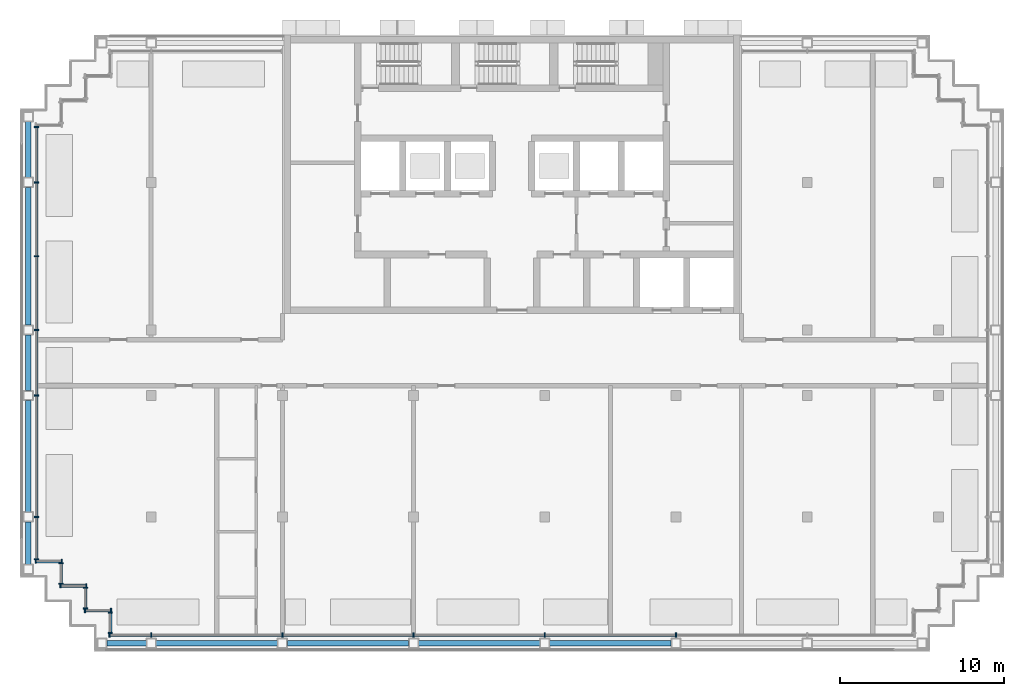
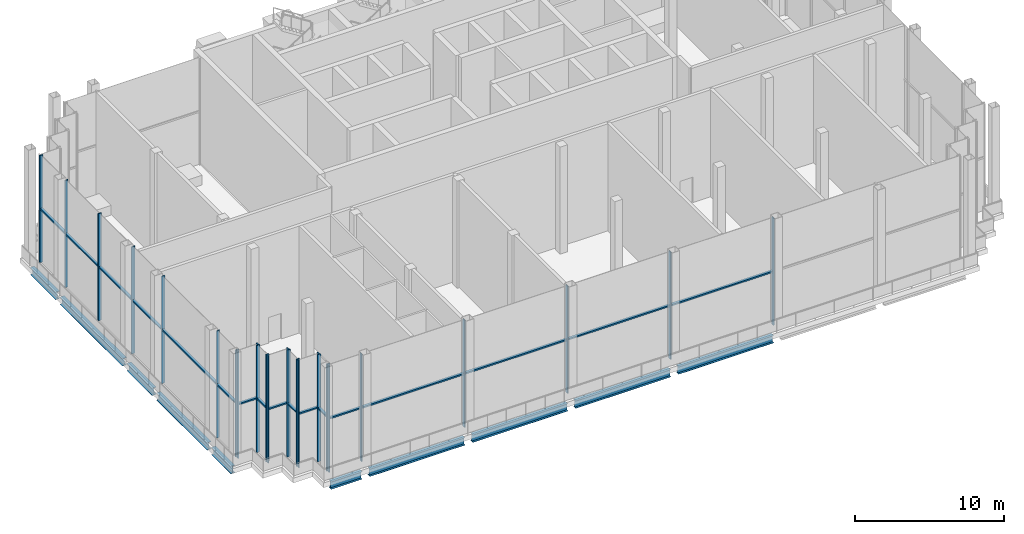
# One storey, part 2 of 15: 42 members, 10 beams, 8 elements without a shape of their own.
"""IFC4 building model written with IfcOpenShell, lengths in metres."""

from ifc_helpers import new_model, si_unit, direction, frame, origin, origin_2d, place, context, subcontext, project, spatial, rectangle, i_section, extrude, material, material_profile, profile_set, type_object, element, aggregate, save


model = new_model("IFC4")

# Units and contexts
model_context = context("Model", 3, precision=1e-05, world=origin(), true_north=direction((0.0, 1.0)))
body_context = subcontext(model_context, "Body", "Model", "MODEL_VIEW")
ifc_project = project(units=[si_unit("LENGTHUNIT", "METRE"), si_unit("AREAUNIT", "SQUARE_METRE"), si_unit("VOLUMEUNIT", "CUBIC_METRE"), si_unit("PLANEANGLEUNIT", "RADIAN"), si_unit("MASSUNIT", "GRAM", prefix="KILO")], contexts=[model_context])

# Site, building, storey
site_placement = place(None, origin())
site = spatial("IfcSite", under=ifc_project, at=site_placement, CompositionType="ELEMENT")
building_placement = place(site_placement, origin())
building = spatial("IfcBuilding", under=site, at=building_placement, Name="Vidyagriha Tower", CompositionType="ELEMENT")
storey_placement = place(building_placement, frame((0.0, 0.0, 239.60009765625)))
storey = spatial("IfcBuildingStorey", under=building, at=storey_placement, Name="L63", CompositionType="ELEMENT", Elevation=239.60009765625)

# Beams
ifc_material_1 = material(Name="Steel ASTM A992 Grade 50", Category="steel")
ifc_material_profile_1 = material_profile(ifc_material_1, i_section(OverallWidth=0.32373046875, OverallDepth=0.612060546875, WebThickness=0.0126953125, FlangeThickness=0.01904296875, at=origin_2d()), Name="W24X104")
ifc_profile_set_1 = profile_set([ifc_material_profile_1], Name="Steel ASTM A992 Grade 50")
beam_type = type_object("IfcBeamType", Name="Edge beam W24X104", PredefinedType="SPANDREL", material=ifc_profile_set_1)
beam_1_placement = place(storey_placement, frame((-24.699951171875, -17.10009765625, -0.7060546875), z_axis=(1.0, 0.0, 0.0), x_axis=(0.0, 1.0, 0.0)))
element("IfcBeam", 1, at=beam_1_placement, inside=storey, type_object=beam_type, Name="st-beam-L63-S01", PredefinedType="SPANDREL", context=body_context, shape_type="SweptSolid", body=[
    extrude(i_section(OverallWidth=0.32373046875, OverallDepth=0.612060546875, WebThickness=0.0126953125, FlangeThickness=0.01904296875, at=origin_2d()), origin(), (0.0, 0.0, 1.0), 2.39990234375),
])
for number, where, z_axis, x_axis, name in (
    (2, (-21.699951171875, -17.10009765625, -0.7060546875), (1.0, 0.0, 0.0), (0.0, 1.0, 0.0), "st-beam-L63-S02"),
    (3, (-13.699951171875, -17.10009765625, -0.7060546875), (1.0, 0.0, 0.0), (0.0, 1.0, 0.0), "st-beam-L63-S03"),
    (4, (-5.699951171875, -17.10009765625, -0.7060546875), (1.0, 0.0, 0.0), (0.0, 1.0, 0.0), "st-beam-L63-S04"),
    (5, (2.300048828125, -17.10009765625, -0.7060546875), (1.0, 0.0, 0.0), (0.0, 1.0, 0.0), "st-beam-L63-S05"),
):
    element("IfcBeam", number, at=place(storey_placement, frame(where, z_axis=z_axis, x_axis=x_axis)), inside=storey, type_object=beam_type, Name=name, PredefinedType="SPANDREL", context=body_context, shape_type="SweptSolid", body=[
        extrude(i_section(OverallWidth=0.32373046875, OverallDepth=0.612060546875, WebThickness=0.0126953125, FlangeThickness=0.01904296875, at=origin_2d()), origin(), (0.0, 0.0, 1.0), 7.39990234375),
    ])
beam_2_placement = place(storey_placement, frame((-29.5, -12.300048828125, -0.7060546875), z_axis=(0.0, 1.0, 0.0), x_axis=(-1.0, 0.0, 0.0)))
element("IfcBeam", 6, at=beam_2_placement, inside=storey, type_object=beam_type, Name="st-beam-L63-W08", PredefinedType="SPANDREL", context=body_context, shape_type="SweptSolid", body=[
    extrude(i_section(OverallWidth=0.32373046875, OverallDepth=0.612060546875, WebThickness=0.0126953125, FlangeThickness=0.01904296875, at=origin_2d()), origin(), (0.0, 0.0, 1.0), 2.60009765625),
])
beam_3_placement = place(storey_placement, frame((-29.5, -9.10009765625, -0.7060546875), z_axis=(0.0, 1.0, 0.0), x_axis=(-1.0, 0.0, 0.0)))
element("IfcBeam", 7, at=beam_3_placement, inside=storey, type_object=beam_type, Name="st-beam-L63-W09", PredefinedType="SPANDREL", context=body_context, shape_type="SweptSolid", body=[
    extrude(i_section(OverallWidth=0.32373046875, OverallDepth=0.612060546875, WebThickness=0.0126953125, FlangeThickness=0.01904296875, at=origin_2d()), origin(), (0.0, 0.0, 1.0), 6.800048828125),
])
beam_4_placement = place(storey_placement, frame((-29.5, -1.699951171875, -0.7060546875), z_axis=(0.0, 1.0, 0.0), x_axis=(-1.0, 0.0, 0.0)))
element("IfcBeam", 8, at=beam_4_placement, inside=storey, type_object=beam_type, Name="st-beam-L63-W10", PredefinedType="SPANDREL", context=body_context, shape_type="SweptSolid", body=[
    extrude(i_section(OverallWidth=0.32373046875, OverallDepth=0.612060546875, WebThickness=0.0126953125, FlangeThickness=0.01904296875, at=origin_2d()), origin(), (0.0, 0.0, 1.0), 3.39990234375),
])
beam_5_placement = place(storey_placement, frame((-29.5, 2.300048828125, -0.7060546875), z_axis=(0.0, 1.0, 0.0), x_axis=(-1.0, 0.0, 0.0)))
element("IfcBeam", 9, at=beam_5_placement, inside=storey, type_object=beam_type, Name="st-beam-L63-W11", PredefinedType="SPANDREL", context=body_context, shape_type="SweptSolid", body=[
    extrude(i_section(OverallWidth=0.32373046875, OverallDepth=0.612060546875, WebThickness=0.0126953125, FlangeThickness=0.01904296875, at=origin_2d()), origin(), (0.0, 0.0, 1.0), 8.39990234375),
])
beam_6_placement = place(storey_placement, frame((-29.5, 11.300048828125, -0.7060546875), z_axis=(0.0, 1.0, 0.0), x_axis=(-1.0, 0.0, 0.0)))
element("IfcBeam", 10, at=beam_6_placement, inside=storey, type_object=beam_type, Name="st-beam-L63-W12", PredefinedType="SPANDREL", context=body_context, shape_type="SweptSolid", body=[
    extrude(i_section(OverallWidth=0.32373046875, OverallDepth=0.612060546875, WebThickness=0.0126953125, FlangeThickness=0.01904296875, at=origin_2d()), origin(), (0.0, 0.0, 1.0), 3.39990234375),
])

# Curtain wall, members
ifc_material_2 = material(Name="Aluminium and glass curtain wall", Category="aluminium")
curtain_wall_type = type_object("IfcCurtainWallType", Name="Winter garden glazing wall", PredefinedType="USERDEFINED", material=ifc_material_2)
curtain_wall_1_placement = place(storey_placement, origin())
curtain_wall_1 = element("IfcCurtainWall", 11, at=curtain_wall_1_placement, inside=storey, type_object=curtain_wall_type, Name="CW3 winter garden glazing", ObjectType="STICK GLAZING", PredefinedType="USERDEFINED")
ifc_material_3 = material(Name="Aluminium black anodised", Category="aluminium")
ifc_material_profile_2 = material_profile(ifc_material_3, rectangle(XDim=0.260009765625, YDim=0.080078125, at=origin_2d()), Name="Mullion 80x260 black aluminium")
ifc_profile_set_2 = profile_set([ifc_material_profile_2], Name="Aluminium black anodised")
member_type_1 = type_object("IfcMemberType", Name="Mullion 80x260 black aluminium", PredefinedType="MULLION", material=ifc_profile_set_2)
member_1_placement = place(storey_placement, frame((-29.0, 14.3798828125, 0.0)))
member_1 = element("IfcMember", 12, at=member_1_placement, type_object=member_type_1, Name="CW3 mullion 1", PredefinedType="MULLION", context=body_context, shape_type="SweptSolid", body=[
    extrude(rectangle(XDim=0.260009765625, YDim=0.080078125, at=origin_2d()), origin(), (0.0, 0.0, 1.0), 8.7998046875),
])
member_2_placement = place(storey_placement, frame((-29.0, 11.0, 0.0)))
member_2 = element("IfcMember", 13, at=member_2_placement, type_object=member_type_1, Name="CW3 mullion 2", PredefinedType="MULLION", context=body_context, shape_type="SweptSolid", body=[
    extrude(rectangle(XDim=0.260009765625, YDim=0.080078125, at=origin_2d()), origin(), (0.0, 0.0, 1.0), 8.7998046875),
])
member_3_placement = place(storey_placement, frame((-29.0, 6.5, 0.0)))
member_3 = element("IfcMember", 14, at=member_3_placement, type_object=member_type_1, Name="CW3 mullion 3", PredefinedType="MULLION", context=body_context, shape_type="SweptSolid", body=[
    extrude(rectangle(XDim=0.260009765625, YDim=0.080078125, at=origin_2d()), origin(), (0.0, 0.0, 1.0), 8.7998046875),
])
member_4_placement = place(storey_placement, frame((-29.0, 2.0, 0.0)))
member_4 = element("IfcMember", 15, at=member_4_placement, type_object=member_type_1, Name="CW3 mullion 4", PredefinedType="MULLION", context=body_context, shape_type="SweptSolid", body=[
    extrude(rectangle(XDim=0.260009765625, YDim=0.080078125, at=origin_2d()), origin(), (0.0, 0.0, 1.0), 8.7998046875),
])
member_5_placement = place(storey_placement, frame((-29.0, -2.0, 0.0)))
member_5 = element("IfcMember", 16, at=member_5_placement, type_object=member_type_1, Name="CW3 mullion 5", PredefinedType="MULLION", context=body_context, shape_type="SweptSolid", body=[
    extrude(rectangle(XDim=0.260009765625, YDim=0.080078125, at=origin_2d()), origin(), (0.0, 0.0, 1.0), 8.7998046875),
])
member_6_placement = place(storey_placement, frame((-29.0, -9.39990234375, 0.0)))
member_6 = element("IfcMember", 17, at=member_6_placement, type_object=member_type_1, Name="CW3 mullion 6", PredefinedType="MULLION", context=body_context, shape_type="SweptSolid", body=[
    extrude(rectangle(XDim=0.260009765625, YDim=0.080078125, at=origin_2d()), origin(), (0.0, 0.0, 1.0), 8.7998046875),
])
member_7_placement = place(storey_placement, frame((-29.0, -11.97998046875, 0.0)))
member_7 = element("IfcMember", 18, at=member_7_placement, type_object=member_type_1, Name="CW3 mullion 7", PredefinedType="MULLION", context=body_context, shape_type="SweptSolid", body=[
    extrude(rectangle(XDim=0.260009765625, YDim=0.080078125, at=origin_2d()), origin(), (0.0, 0.0, 1.0), 8.7998046875),
])

curtain_wall_2_placement = place(storey_placement, origin())
curtain_wall_2 = element("IfcCurtainWall", 19, at=curtain_wall_2_placement, inside=storey, type_object=curtain_wall_type, Name="CW3 winter garden glazing", ObjectType="STICK GLAZING", PredefinedType="USERDEFINED")
member_8_placement = place(storey_placement, frame((-29.0400390625, -12.10009765625, 0.0), z_axis=(0.0, 0.0, 1.0), x_axis=(0.0, 1.0, 0.0)))
member_8 = element("IfcMember", 20, at=member_8_placement, type_object=member_type_1, Name="CW3 mullion 1", PredefinedType="MULLION", context=body_context, shape_type="SweptSolid", body=[
    extrude(rectangle(XDim=0.260009765625, YDim=0.080078125, at=origin_2d()), origin(), (0.0, 0.0, 1.0), 8.7998046875),
])
member_9_placement = place(storey_placement, frame((-27.4599609375, -12.10009765625, 0.0), z_axis=(0.0, 0.0, 1.0), x_axis=(0.0, 1.0, 0.0)))
member_9 = element("IfcMember", 21, at=member_9_placement, type_object=member_type_1, Name="CW3 mullion 2", PredefinedType="MULLION", context=body_context, shape_type="SweptSolid", body=[
    extrude(rectangle(XDim=0.260009765625, YDim=0.080078125, at=origin_2d()), origin(), (0.0, 0.0, 1.0), 8.7998046875),
])

curtain_wall_3_placement = place(storey_placement, origin())
curtain_wall_3 = element("IfcCurtainWall", 22, at=curtain_wall_3_placement, inside=storey, type_object=curtain_wall_type, Name="CW3 winter garden glazing", ObjectType="STICK GLAZING", PredefinedType="USERDEFINED")
member_10_placement = place(storey_placement, frame((-27.5, -12.219970703125, 0.0)))
member_10 = element("IfcMember", 23, at=member_10_placement, type_object=member_type_1, Name="CW3 mullion 1", PredefinedType="MULLION", context=body_context, shape_type="SweptSolid", body=[
    extrude(rectangle(XDim=0.260009765625, YDim=0.080078125, at=origin_2d()), origin(), (0.0, 0.0, 1.0), 8.7998046875),
])
member_11_placement = place(storey_placement, frame((-27.5, -13.47998046875, 0.0)))
member_11 = element("IfcMember", 24, at=member_11_placement, type_object=member_type_1, Name="CW3 mullion 2", PredefinedType="MULLION", context=body_context, shape_type="SweptSolid", body=[
    extrude(rectangle(XDim=0.260009765625, YDim=0.080078125, at=origin_2d()), origin(), (0.0, 0.0, 1.0), 8.7998046875),
])

curtain_wall_4_placement = place(storey_placement, origin())
curtain_wall_4 = element("IfcCurtainWall", 25, at=curtain_wall_4_placement, inside=storey, type_object=curtain_wall_type, Name="CW3 winter garden glazing", ObjectType="STICK GLAZING", PredefinedType="USERDEFINED")
member_12_placement = place(storey_placement, frame((-27.5400390625, -13.60009765625, 0.0), z_axis=(0.0, 0.0, 1.0), x_axis=(0.0, 1.0, 0.0)))
member_12 = element("IfcMember", 26, at=member_12_placement, type_object=member_type_1, Name="CW3 mullion 1", PredefinedType="MULLION", context=body_context, shape_type="SweptSolid", body=[
    extrude(rectangle(XDim=0.260009765625, YDim=0.080078125, at=origin_2d()), origin(), (0.0, 0.0, 1.0), 8.7998046875),
])
member_13_placement = place(storey_placement, frame((-25.9599609375, -13.60009765625, 0.0), z_axis=(0.0, 0.0, 1.0), x_axis=(0.0, 1.0, 0.0)))
member_13 = element("IfcMember", 27, at=member_13_placement, type_object=member_type_1, Name="CW3 mullion 2", PredefinedType="MULLION", context=body_context, shape_type="SweptSolid", body=[
    extrude(rectangle(XDim=0.260009765625, YDim=0.080078125, at=origin_2d()), origin(), (0.0, 0.0, 1.0), 8.7998046875),
])

curtain_wall_5_placement = place(storey_placement, origin())
curtain_wall_5 = element("IfcCurtainWall", 28, at=curtain_wall_5_placement, inside=storey, type_object=curtain_wall_type, Name="CW3 winter garden glazing", ObjectType="STICK GLAZING", PredefinedType="USERDEFINED")
member_14_placement = place(storey_placement, frame((-26.0, -13.719970703125, 0.0)))
member_14 = element("IfcMember", 29, at=member_14_placement, type_object=member_type_1, Name="CW3 mullion 1", PredefinedType="MULLION", context=body_context, shape_type="SweptSolid", body=[
    extrude(rectangle(XDim=0.260009765625, YDim=0.080078125, at=origin_2d()), origin(), (0.0, 0.0, 1.0), 8.7998046875),
])
member_15_placement = place(storey_placement, frame((-26.0, -14.97998046875, 0.0)))
member_15 = element("IfcMember", 30, at=member_15_placement, type_object=member_type_1, Name="CW3 mullion 2", PredefinedType="MULLION", context=body_context, shape_type="SweptSolid", body=[
    extrude(rectangle(XDim=0.260009765625, YDim=0.080078125, at=origin_2d()), origin(), (0.0, 0.0, 1.0), 8.7998046875),
])

curtain_wall_6_placement = place(storey_placement, origin())
curtain_wall_6 = element("IfcCurtainWall", 31, at=curtain_wall_6_placement, inside=storey, type_object=curtain_wall_type, Name="CW3 winter garden glazing", ObjectType="STICK GLAZING", PredefinedType="USERDEFINED")
member_16_placement = place(storey_placement, frame((-26.0400390625, -15.10009765625, 0.0), z_axis=(0.0, 0.0, 1.0), x_axis=(0.0, 1.0, 0.0)))
member_16 = element("IfcMember", 32, at=member_16_placement, type_object=member_type_1, Name="CW3 mullion 1", PredefinedType="MULLION", context=body_context, shape_type="SweptSolid", body=[
    extrude(rectangle(XDim=0.260009765625, YDim=0.080078125, at=origin_2d()), origin(), (0.0, 0.0, 1.0), 8.7998046875),
])
member_17_placement = place(storey_placement, frame((-24.4599609375, -15.10009765625, 0.0), z_axis=(0.0, 0.0, 1.0), x_axis=(0.0, 1.0, 0.0)))
member_17 = element("IfcMember", 33, at=member_17_placement, type_object=member_type_1, Name="CW3 mullion 2", PredefinedType="MULLION", context=body_context, shape_type="SweptSolid", body=[
    extrude(rectangle(XDim=0.260009765625, YDim=0.080078125, at=origin_2d()), origin(), (0.0, 0.0, 1.0), 8.7998046875),
])

curtain_wall_7_placement = place(storey_placement, origin())
curtain_wall_7 = element("IfcCurtainWall", 34, at=curtain_wall_7_placement, inside=storey, type_object=curtain_wall_type, Name="CW3 winter garden glazing", ObjectType="STICK GLAZING", PredefinedType="USERDEFINED")
member_18_placement = place(storey_placement, frame((-24.5, -15.219970703125, 0.0)))
member_18 = element("IfcMember", 35, at=member_18_placement, type_object=member_type_1, Name="CW3 mullion 1", PredefinedType="MULLION", context=body_context, shape_type="SweptSolid", body=[
    extrude(rectangle(XDim=0.260009765625, YDim=0.080078125, at=origin_2d()), origin(), (0.0, 0.0, 1.0), 8.7998046875),
])
member_19_placement = place(storey_placement, frame((-24.5, -16.47998046875, 0.0)))
member_19 = element("IfcMember", 36, at=member_19_placement, type_object=member_type_1, Name="CW3 mullion 2", PredefinedType="MULLION", context=body_context, shape_type="SweptSolid", body=[
    extrude(rectangle(XDim=0.260009765625, YDim=0.080078125, at=origin_2d()), origin(), (0.0, 0.0, 1.0), 8.7998046875),
])

curtain_wall_8_placement = place(storey_placement, origin())
curtain_wall_8 = element("IfcCurtainWall", 37, at=curtain_wall_8_placement, inside=storey, type_object=curtain_wall_type, Name="CW3 winter garden glazing", ObjectType="STICK GLAZING", PredefinedType="USERDEFINED")
member_20_placement = place(storey_placement, frame((-24.5400390625, -16.60009765625, 0.0), z_axis=(0.0, 0.0, 1.0), x_axis=(0.0, 1.0, 0.0)))
member_20 = element("IfcMember", 38, at=member_20_placement, type_object=member_type_1, Name="CW3 mullion 1", PredefinedType="MULLION", context=body_context, shape_type="SweptSolid", body=[
    extrude(rectangle(XDim=0.260009765625, YDim=0.080078125, at=origin_2d()), origin(), (0.0, 0.0, 1.0), 8.7998046875),
])
member_21_placement = place(storey_placement, frame((-22.0, -16.60009765625, 0.0), z_axis=(0.0, 0.0, 1.0), x_axis=(0.0, 1.0, 0.0)))
member_21 = element("IfcMember", 39, at=member_21_placement, type_object=member_type_1, Name="CW3 mullion 2", PredefinedType="MULLION", context=body_context, shape_type="SweptSolid", body=[
    extrude(rectangle(XDim=0.260009765625, YDim=0.080078125, at=origin_2d()), origin(), (0.0, 0.0, 1.0), 8.7998046875),
])
member_22_placement = place(storey_placement, frame((-14.0, -16.60009765625, 0.0), z_axis=(0.0, 0.0, 1.0), x_axis=(0.0, 1.0, 0.0)))
member_22 = element("IfcMember", 40, at=member_22_placement, type_object=member_type_1, Name="CW3 mullion 3", PredefinedType="MULLION", context=body_context, shape_type="SweptSolid", body=[
    extrude(rectangle(XDim=0.260009765625, YDim=0.080078125, at=origin_2d()), origin(), (0.0, 0.0, 1.0), 8.7998046875),
])
member_23_placement = place(storey_placement, frame((-6.0, -16.60009765625, 0.0), z_axis=(0.0, 0.0, 1.0), x_axis=(0.0, 1.0, 0.0)))
member_23 = element("IfcMember", 41, at=member_23_placement, type_object=member_type_1, Name="CW3 mullion 4", PredefinedType="MULLION", context=body_context, shape_type="SweptSolid", body=[
    extrude(rectangle(XDim=0.260009765625, YDim=0.080078125, at=origin_2d()), origin(), (0.0, 0.0, 1.0), 8.7998046875),
])
member_24_placement = place(storey_placement, frame((2.0, -16.60009765625, 0.0), z_axis=(0.0, 0.0, 1.0), x_axis=(0.0, 1.0, 0.0)))
member_24 = element("IfcMember", 42, at=member_24_placement, type_object=member_type_1, Name="CW3 mullion 5", PredefinedType="MULLION", context=body_context, shape_type="SweptSolid", body=[
    extrude(rectangle(XDim=0.260009765625, YDim=0.080078125, at=origin_2d()), origin(), (0.0, 0.0, 1.0), 8.7998046875),
])
member_25_placement = place(storey_placement, frame((10.0, -16.60009765625, 0.0), z_axis=(0.0, 0.0, 1.0), x_axis=(0.0, 1.0, 0.0)))
member_25 = element("IfcMember", 43, at=member_25_placement, type_object=member_type_1, Name="CW3 mullion 6", PredefinedType="MULLION", context=body_context, shape_type="SweptSolid", body=[
    extrude(rectangle(XDim=0.260009765625, YDim=0.080078125, at=origin_2d()), origin(), (0.0, 0.0, 1.0), 8.7998046875),
])

# Member
ifc_material_4 = material(Name="Aluminium black anodised", Category="aluminium")
ifc_material_profile_3 = material_profile(ifc_material_4, rectangle(XDim=0.199951171875, YDim=0.1201171875, at=origin_2d()), Name="Transom 120x200 black aluminium")
ifc_profile_set_3 = profile_set([ifc_material_profile_3], Name="Aluminium black anodised")
member_type_2 = type_object("IfcMemberType", Name="Transom 120x200 black aluminium", PredefinedType="USERDEFINED", material=ifc_profile_set_3)
member_26_placement = place(storey_placement, frame((-29.0, 14.340087890625, 4.39990234375), z_axis=(0.0, -1.0, 0.0), x_axis=(1.0, 0.0, 0.0)))
member_26 = element("IfcMember", 44, at=member_26_placement, type_object=member_type_2, Name="CW3 transom 1.1", ObjectType="TRANSOM", PredefinedType="USERDEFINED", context=body_context, shape_type="SweptSolid", body=[
    extrude(rectangle(XDim=0.199951171875, YDim=0.1201171875, at=origin_2d()), origin(), (0.0, 0.0, 1.0), 3.300048828125),
])

member_27_placement = place(storey_placement, frame((-29.0, 10.9599609375, 4.39990234375), z_axis=(0.0, -1.0, 0.0), x_axis=(1.0, 0.0, 0.0)))
member_27 = element("IfcMember", 45, at=member_27_placement, type_object=member_type_2, Name="CW3 transom 2.1", ObjectType="TRANSOM", PredefinedType="USERDEFINED", context=body_context, shape_type="SweptSolid", body=[
    extrude(rectangle(XDim=0.199951171875, YDim=0.1201171875, at=origin_2d()), origin(), (0.0, 0.0, 1.0), 4.419921875),
])

member_28_placement = place(storey_placement, frame((-29.0, 6.4599609375, 4.39990234375), z_axis=(0.0, -1.0, 0.0), x_axis=(1.0, 0.0, 0.0)))
member_28 = element("IfcMember", 46, at=member_28_placement, type_object=member_type_2, Name="CW3 transom 3.1", ObjectType="TRANSOM", PredefinedType="USERDEFINED", context=body_context, shape_type="SweptSolid", body=[
    extrude(rectangle(XDim=0.199951171875, YDim=0.1201171875, at=origin_2d()), origin(), (0.0, 0.0, 1.0), 4.419921875),
])

member_29_placement = place(storey_placement, frame((-29.0, 1.9599609375, 4.39990234375), z_axis=(0.0, -1.0, 0.0), x_axis=(1.0, 0.0, 0.0)))
member_29 = element("IfcMember", 47, at=member_29_placement, type_object=member_type_2, Name="CW3 transom 4.1", ObjectType="TRANSOM", PredefinedType="USERDEFINED", context=body_context, shape_type="SweptSolid", body=[
    extrude(rectangle(XDim=0.199951171875, YDim=0.1201171875, at=origin_2d()), origin(), (0.0, 0.0, 1.0), 3.919921875),
])

member_30_placement = place(storey_placement, frame((-29.0, -2.0400390625, 4.39990234375), z_axis=(0.0, -1.0, 0.0), x_axis=(1.0, 0.0, 0.0)))
member_30 = element("IfcMember", 48, at=member_30_placement, type_object=member_type_2, Name="CW3 transom 5.1", ObjectType="TRANSOM", PredefinedType="USERDEFINED", context=body_context, shape_type="SweptSolid", body=[
    extrude(rectangle(XDim=0.199951171875, YDim=0.1201171875, at=origin_2d()), origin(), (0.0, 0.0, 1.0), 7.320068359375),
])

member_31_placement = place(storey_placement, frame((-29.0, -9.43994140625, 4.39990234375), z_axis=(0.0, -1.0, 0.0), x_axis=(1.0, 0.0, 0.0)))
member_31 = element("IfcMember", 49, at=member_31_placement, type_object=member_type_2, Name="CW3 transom 6.1", ObjectType="TRANSOM", PredefinedType="USERDEFINED", context=body_context, shape_type="SweptSolid", body=[
    extrude(rectangle(XDim=0.199951171875, YDim=0.1201171875, at=origin_2d()), origin(), (0.0, 0.0, 1.0), 2.5),
])

aggregate(curtain_wall_1, [member_1, member_2, member_3, member_4, member_5, member_6, member_7, member_26, member_27, member_28, member_29, member_30, member_31])

member_32_placement = place(storey_placement, frame((-29.0, -12.10009765625, 4.39990234375), z_axis=(1.0, 0.0, 0.0), x_axis=(0.0, 1.0, 0.0)))
member_32 = element("IfcMember", 50, at=member_32_placement, type_object=member_type_2, Name="CW3 transom 1.1", ObjectType="TRANSOM", PredefinedType="USERDEFINED", context=body_context, shape_type="SweptSolid", body=[
    extrude(rectangle(XDim=0.199951171875, YDim=0.1201171875, at=origin_2d()), origin(), (0.0, 0.0, 1.0), 1.5),
])

aggregate(curtain_wall_2, [member_8, member_9, member_32])

member_33_placement = place(storey_placement, frame((-27.5, -12.260009765625, 4.39990234375), z_axis=(0.0, -1.0, 0.0), x_axis=(1.0, 0.0, 0.0)))
member_33 = element("IfcMember", 51, at=member_33_placement, type_object=member_type_2, Name="CW3 transom 1.1", ObjectType="TRANSOM", PredefinedType="USERDEFINED", context=body_context, shape_type="SweptSolid", body=[
    extrude(rectangle(XDim=0.199951171875, YDim=0.1201171875, at=origin_2d()), origin(), (0.0, 0.0, 1.0), 1.179931640625),
])

aggregate(curtain_wall_3, [member_10, member_11, member_33])

member_34_placement = place(storey_placement, frame((-27.5, -13.60009765625, 4.39990234375), z_axis=(1.0, 0.0, 0.0), x_axis=(0.0, 1.0, 0.0)))
member_34 = element("IfcMember", 52, at=member_34_placement, type_object=member_type_2, Name="CW3 transom 1.1", ObjectType="TRANSOM", PredefinedType="USERDEFINED", context=body_context, shape_type="SweptSolid", body=[
    extrude(rectangle(XDim=0.199951171875, YDim=0.1201171875, at=origin_2d()), origin(), (0.0, 0.0, 1.0), 1.5),
])

aggregate(curtain_wall_4, [member_12, member_13, member_34])

member_35_placement = place(storey_placement, frame((-26.0, -13.760009765625, 4.39990234375), z_axis=(0.0, -1.0, 0.0), x_axis=(1.0, 0.0, 0.0)))
member_35 = element("IfcMember", 53, at=member_35_placement, type_object=member_type_2, Name="CW3 transom 1.1", ObjectType="TRANSOM", PredefinedType="USERDEFINED", context=body_context, shape_type="SweptSolid", body=[
    extrude(rectangle(XDim=0.199951171875, YDim=0.1201171875, at=origin_2d()), origin(), (0.0, 0.0, 1.0), 1.179931640625),
])

aggregate(curtain_wall_5, [member_14, member_15, member_35])

member_36_placement = place(storey_placement, frame((-26.0, -15.10009765625, 4.39990234375), z_axis=(1.0, 0.0, 0.0), x_axis=(0.0, 1.0, 0.0)))
member_36 = element("IfcMember", 54, at=member_36_placement, type_object=member_type_2, Name="CW3 transom 1.1", ObjectType="TRANSOM", PredefinedType="USERDEFINED", context=body_context, shape_type="SweptSolid", body=[
    extrude(rectangle(XDim=0.199951171875, YDim=0.1201171875, at=origin_2d()), origin(), (0.0, 0.0, 1.0), 1.5),
])

aggregate(curtain_wall_6, [member_16, member_17, member_36])

member_37_placement = place(storey_placement, frame((-24.5, -15.260009765625, 4.39990234375), z_axis=(0.0, -1.0, 0.0), x_axis=(1.0, 0.0, 0.0)))
member_37 = element("IfcMember", 55, at=member_37_placement, type_object=member_type_2, Name="CW3 transom 1.1", ObjectType="TRANSOM", PredefinedType="USERDEFINED", context=body_context, shape_type="SweptSolid", body=[
    extrude(rectangle(XDim=0.199951171875, YDim=0.1201171875, at=origin_2d()), origin(), (0.0, 0.0, 1.0), 1.179931640625),
])

aggregate(curtain_wall_7, [member_18, member_19, member_37])

member_38_placement = place(storey_placement, frame((-24.5, -16.60009765625, 4.39990234375), z_axis=(1.0, 0.0, 0.0), x_axis=(0.0, 1.0, 0.0)))
member_38 = element("IfcMember", 56, at=member_38_placement, type_object=member_type_2, Name="CW3 transom 1.1", ObjectType="TRANSOM", PredefinedType="USERDEFINED", context=body_context, shape_type="SweptSolid", body=[
    extrude(rectangle(XDim=0.199951171875, YDim=0.1201171875, at=origin_2d()), origin(), (0.0, 0.0, 1.0), 2.4599609375),
])

member_39_placement = place(storey_placement, frame((-21.9599609375, -16.60009765625, 4.39990234375), z_axis=(1.0, 0.0, 0.0), x_axis=(0.0, 1.0, 0.0)))
member_39 = element("IfcMember", 57, at=member_39_placement, type_object=member_type_2, Name="CW3 transom 2.1", ObjectType="TRANSOM", PredefinedType="USERDEFINED", context=body_context, shape_type="SweptSolid", body=[
    extrude(rectangle(XDim=0.199951171875, YDim=0.1201171875, at=origin_2d()), origin(), (0.0, 0.0, 1.0), 7.919921875),
])

member_40_placement = place(storey_placement, frame((-13.9599609375, -16.60009765625, 4.39990234375), z_axis=(1.0, 0.0, 0.0), x_axis=(0.0, 1.0, 0.0)))
member_40 = element("IfcMember", 58, at=member_40_placement, type_object=member_type_2, Name="CW3 transom 3.1", ObjectType="TRANSOM", PredefinedType="USERDEFINED", context=body_context, shape_type="SweptSolid", body=[
    extrude(rectangle(XDim=0.199951171875, YDim=0.1201171875, at=origin_2d()), origin(), (0.0, 0.0, 1.0), 7.919921875),
])

member_41_placement = place(storey_placement, frame((-5.9599609375, -16.60009765625, 4.39990234375), z_axis=(1.0, 0.0, 0.0), x_axis=(0.0, 1.0, 0.0)))
member_41 = element("IfcMember", 59, at=member_41_placement, type_object=member_type_2, Name="CW3 transom 4.1", ObjectType="TRANSOM", PredefinedType="USERDEFINED", context=body_context, shape_type="SweptSolid", body=[
    extrude(rectangle(XDim=0.199951171875, YDim=0.1201171875, at=origin_2d()), origin(), (0.0, 0.0, 1.0), 7.919921875),
])

member_42_placement = place(storey_placement, frame((2.0400390625, -16.60009765625, 4.39990234375), z_axis=(1.0, 0.0, 0.0), x_axis=(0.0, 1.0, 0.0)))
member_42 = element("IfcMember", 60, at=member_42_placement, type_object=member_type_2, Name="CW3 transom 5.1", ObjectType="TRANSOM", PredefinedType="USERDEFINED", context=body_context, shape_type="SweptSolid", body=[
    extrude(rectangle(XDim=0.199951171875, YDim=0.1201171875, at=origin_2d()), origin(), (0.0, 0.0, 1.0), 7.919921875),
])

aggregate(curtain_wall_8, [member_20, member_21, member_22, member_23, member_24, member_25, member_38, member_39, member_40, member_41, member_42])

save(model, "model.ifc")
